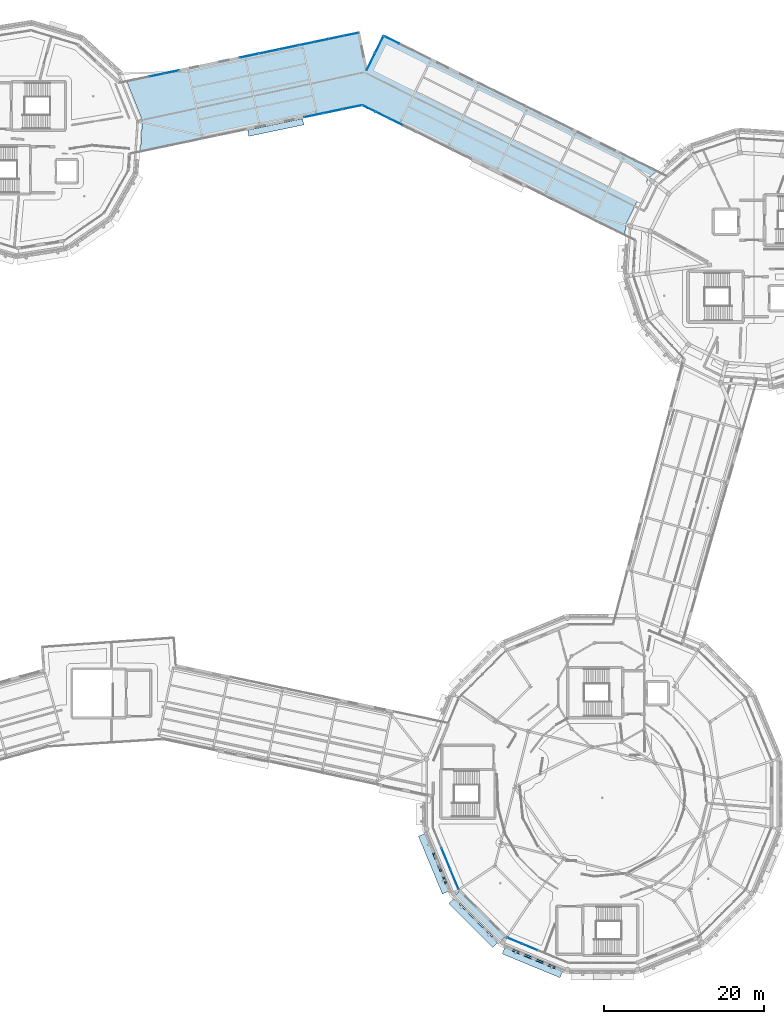
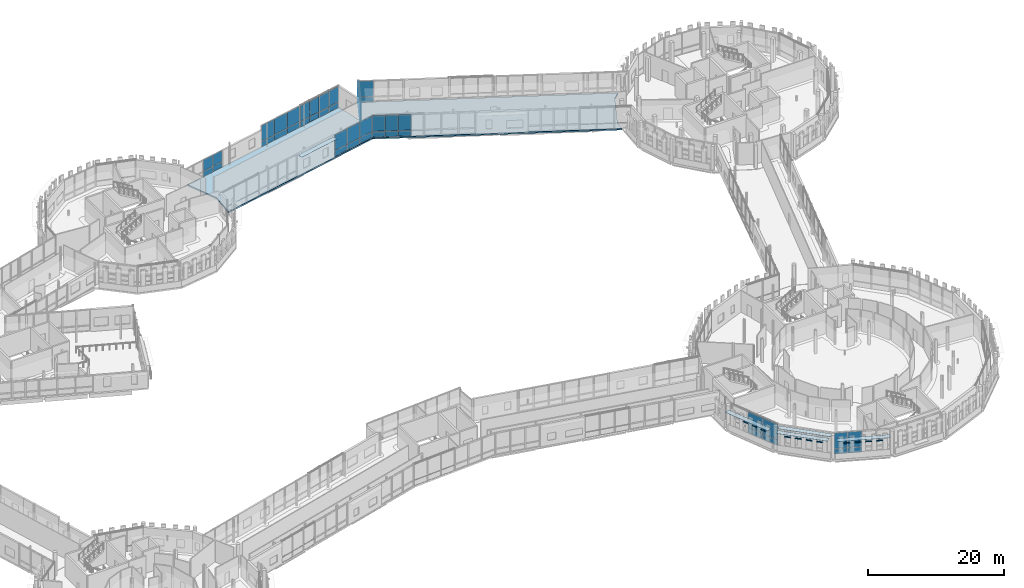
# One storey, part 78 of 125: 60 plates, 1 slab, 9 elements without a shape of their own.
"""IFC4 building model written with IfcOpenShell, lengths in metres."""

import ifcopenshell
import ifcopenshell.guid

model = None  # the IFC model being written
_history = None  # IfcOwnerHistory: only IFC2X3 demands one
_inside = {}  # id of a spatial element -> (the spatial element, [elements in it])
_under = {}  # id of a project, library or spatial element -> (it, [spatial elements below it])
_declared = {}  # id of a project -> (the project, [libraries it declares])
_typed = {}  # id of a type object -> (the type object, [elements of that type])
_made_of = {}  # id of a material, layer set ... -> (it, [elements and type objects made of it])


def new_model(schema):
    """Start an empty IFC model of exactly this schema.

    Asked for "IFC4X3", IfcOpenShell would pick the latest addendum, in which some entities
    have other attributes; the version numbers below select the first issue.
    IFC2X3 requires an IfcOwnerHistory on every rooted entity: one is made here for all.
    """
    global model, _history
    if schema == "IFC4X3":
        model = ifcopenshell.file(schema_version=(4, 3, 0, 0))
    else:
        model = ifcopenshell.file(schema=schema)
    _inside.clear()
    _under.clear()
    _declared.clear()
    _typed.clear()
    _made_of.clear()
    _history = None
    if model.schema == "IFC2X3":
        org = make("IfcOrganization", Name="unknown")
        user = make(
            "IfcPersonAndOrganization",
            ThePerson=make("IfcPerson", FamilyName="unknown"),
            TheOrganization=org,
        )
        app = make(
            "IfcApplication",
            ApplicationDeveloper=org,
            Version="unknown",
            ApplicationFullName="unknown",
            ApplicationIdentifier="unknown",
        )
        _history = make(
            "IfcOwnerHistory",
            OwningUser=user,
            OwningApplication=app,
            ChangeAction="ADDED",
            CreationDate=0,
        )
    return model


def make(cls, **values):
    """One entity of the class cls with the attributes given. An attribute that is None is left unset."""
    return model.create_entity(
        cls, **{name: value for name, value in values.items() if value is not None}
    )


def rooted(cls, **values):
    """An entity with a GlobalId (a new one), such as an element, a storey or a relation."""
    return make(cls, GlobalId=ifcopenshell.guid.new(), OwnerHistory=_history, **values)


def si_unit(unit_type, name, prefix=None):
    """IfcSIUnit, for example si_unit("LENGTHUNIT", "METRE", prefix="MILLI")."""
    return make("IfcSIUnit", UnitType=unit_type, Prefix=prefix, Name=name)


def assignment(units):
    """IfcUnitAssignment: the units of a project."""
    return None if units is None else make("IfcUnitAssignment", Units=units)


def point(xyz):
    """IfcCartesianPoint."""
    return None if xyz is None else make("IfcCartesianPoint", Coordinates=xyz)


def direction(xyz):
    """IfcDirection."""
    return None if xyz is None else make("IfcDirection", DirectionRatios=xyz)


def frame(location, z_axis=None, x_axis=None):
    """IfcAxis2Placement3D, a coordinate frame: its origin and axes. An axis left out is left unset."""
    return make(
        "IfcAxis2Placement3D",
        Location=point(location),
        Axis=direction(z_axis),
        RefDirection=direction(x_axis),
    )


def frame_2d(location, x_axis=None):
    """IfcAxis2Placement2D, a coordinate frame in the plane: its origin and x axis."""
    return make(
        "IfcAxis2Placement2D", Location=point(location), RefDirection=direction(x_axis)
    )


def origin():
    """The frame at (0, 0, 0) with its axes left unset."""
    return frame((0.0, 0.0, 0.0))


def origin_2d():
    """The frame at (0, 0) in the plane with its x axis left unset."""
    return frame_2d((0.0, 0.0))


def place(relative_to, where):
    """IfcLocalPlacement: puts the frame where relative to a parent placement (None: the world)."""
    return make(
        "IfcLocalPlacement", PlacementRelTo=relative_to, RelativePlacement=where
    )


def context(
    kind, dimensions, precision=None, world=None, true_north=None, identifier=None
):
    """IfcGeometricRepresentationContext, for example the 3D "Model" context."""
    return make(
        "IfcGeometricRepresentationContext",
        ContextIdentifier=identifier,
        ContextType=kind,
        CoordinateSpaceDimension=dimensions,
        Precision=precision,
        WorldCoordinateSystem=world,
        TrueNorth=true_north,
    )


def subcontext(parent, identifier, kind, view, scale=None):
    """IfcGeometricRepresentationSubContext, for example "Body" below "Model"."""
    return make(
        "IfcGeometricRepresentationSubContext",
        ContextIdentifier=identifier,
        ContextType=kind,
        ParentContext=parent,
        TargetScale=scale,
        TargetView=view,
    )


def project(units=None, contexts=None):
    """IfcProject with its units and contexts."""
    return rooted(
        "IfcProject",
        Name="project",
        RepresentationContexts=contexts,
        UnitsInContext=assignment(units),
    )


def spatial(cls, under=None, at=None, **own):
    """A site, building, storey or space (cls), placed at a placement, below another one or the project."""
    s = rooted(cls, ObjectPlacement=at, **own)
    if under is not None:
        _under.setdefault(under.id(), (under, []))[1].append(s)
    return s


def polyline(points):
    """IfcPolyline through the points."""
    return make("IfcPolyline", Points=[point(p) for p in points])


def profile(cls, at=None, kind="AREA", **sizes):
    """A parametric profile (cls). Its sizes go by their IFC names, for example OverallWidth=200.0."""
    return make(cls, ProfileType=kind, Position=at, **sizes)


def rectangle(**sizes):
    """IfcRectangleProfileDef."""
    return profile("IfcRectangleProfileDef", **sizes)


def outline(outer, holes=None, kind="AREA"):
    """IfcArbitraryClosedProfileDef: a profile drawn as a closed curve; with holes, ...WithVoids."""
    if holes is None:
        return make("IfcArbitraryClosedProfileDef", ProfileType=kind, OuterCurve=outer)
    return make(
        "IfcArbitraryProfileDefWithVoids",
        ProfileType=kind,
        OuterCurve=outer,
        InnerCurves=holes,
    )


def extrude(swept, where, along, depth):
    """IfcExtrudedAreaSolid: the profile swept, set in the frame where, extruded along a direction by depth."""
    return make(
        "IfcExtrudedAreaSolid",
        SweptArea=swept,
        Position=where,
        ExtrudedDirection=direction(along),
        Depth=depth,
    )


def shape(context_of_items, identifier, shape_type, items):
    """IfcShapeRepresentation: the items that make up one representation, for example the "Body"."""
    return make(
        "IfcShapeRepresentation",
        ContextOfItems=context_of_items,
        RepresentationIdentifier=identifier,
        RepresentationType=shape_type,
        Items=items,
    )


def material(Name=None, Category=None):
    """IfcMaterial."""
    return make("IfcMaterial", Name=Name, Category=Category)


def layer(
    of_material, thickness, ventilated=None, Name=None, Category=None, Priority=None
):
    """IfcMaterialLayer: one layer of a wall or slab, of a material (None: an air gap)."""
    return make(
        "IfcMaterialLayer",
        Material=of_material,
        LayerThickness=thickness,
        IsVentilated=ventilated,
        Name=Name,
        Category=Category,
        Priority=Priority,
    )


def layer_set(layers, Name=None):
    """IfcMaterialLayerSet."""
    return make("IfcMaterialLayerSet", MaterialLayers=layers, LayerSetName=Name)


def made_of(thing, what):
    """Note that an element or type object is made of a material, layer set ...; save() writes the relation."""
    if what is not None:
        _made_of.setdefault(what.id(), (what, []))[1].append(thing)
    return thing


def type_object(cls, material=None, **own):
    """A type object (cls), such as IfcWallType, which elements share."""
    return made_of(rooted(cls, **own), material)


def element(
    cls,
    number,
    at=None,
    inside=None,
    cuts=None,
    type_object=None,
    material=None,
    context=None,
    identifier="Body",
    shape_type=None,
    held_by="IfcProductDefinitionShape",
    body=None,
    shapes=None,
    **own,
):
    """One element of the class cls, such as IfcWall. Its Tag is "e" and its number.

    at: its placement. inside: the storey or other place that contains it. cuts: it is an
    opening in that element (IfcRelVoidsElement). A single representation is given by context,
    identifier, shape_type and body (its items); several are given by shapes. held_by: the class
    of the entity that holds the representations. save() writes the other relations.
    """
    e = rooted(cls, Tag="e%d" % number, ObjectPlacement=at, **own)
    if body is not None:
        shapes = [shape(context, identifier, shape_type, body)]
    if shapes is not None:
        e.Representation = make(held_by, Representations=shapes)
    if inside is not None:
        _inside.setdefault(inside.id(), (inside, []))[1].append(e)
    if cuts is not None:
        rooted(
            "IfcRelVoidsElement", RelatingBuildingElement=cuts, RelatedOpeningElement=e
        )
    if type_object is not None:
        _typed.setdefault(type_object.id(), (type_object, []))[1].append(e)
    return made_of(e, material)


def aggregate(whole, parts):
    """IfcRelAggregates: a whole, such as a stair, and the parts it consists of."""
    return rooted("IfcRelAggregates", RelatingObject=whole, RelatedObjects=parts)


def save(model, path):
    """Write the relations noted so far, then the file.

    IfcRelAggregates (storeys below a building ...), IfcRelContainedInSpatialStructure (elements
    in a storey), IfcRelDefinesByType, IfcRelAssociatesMaterial and IfcRelDeclares: one each for
    every whole, place, type object, material and project.
    """
    for whole, parts in _under.values():
        aggregate(whole, parts)
    for where, things in _inside.values():
        rooted(
            "IfcRelContainedInSpatialStructure",
            RelatedElements=things,
            RelatingStructure=where,
        )
    for kind, things in _typed.values():
        rooted("IfcRelDefinesByType", RelatedObjects=things, RelatingType=kind)
    for what, things in _made_of.values():
        rooted("IfcRelAssociatesMaterial", RelatedObjects=things, RelatingMaterial=what)
    for by, libraries in _declared.values():
        rooted("IfcRelDeclares", RelatingContext=by, RelatedDefinitions=libraries)
    model.write(path)


model = new_model("IFC4")

# Units and contexts
model_context = context("Model", 3, precision=1e-05, world=origin(), true_north=direction((0.0, 1.0)))
body_context = subcontext(model_context, "Body", "Model", "MODEL_VIEW")
ifc_project = project(units=[si_unit("LENGTHUNIT", "METRE"), si_unit("AREAUNIT", "SQUARE_METRE"), si_unit("VOLUMEUNIT", "CUBIC_METRE"), si_unit("PLANEANGLEUNIT", "RADIAN"), si_unit("MASSUNIT", "GRAM", prefix="KILO")], contexts=[model_context])

# Site, building, storey
site_placement = place(None, origin())
site = spatial("IfcSite", under=ifc_project, at=site_placement, CompositionType="ELEMENT")
building_placement = place(site_placement, origin())
building = spatial("IfcBuilding", under=site, at=building_placement, Name="Wrenclough Park School", CompositionType="ELEMENT")
storey_placement = place(building_placement, frame((0.0, 0.0, 4.199951171875)))
storey = spatial("IfcBuildingStorey", under=building, at=storey_placement, Name="L01", CompositionType="ELEMENT", Elevation=4.199951171875)

# Curtain wall, plates
ifc_material_1 = material(Name="Thermally broken aluminium and low-e glass curtain wall", Category="aluminium")
curtain_wall_type_1 = type_object("IfcCurtainWallType", Name="ENV-CW-13", PredefinedType="USERDEFINED", material=ifc_material_1)
curtain_wall_1_placement = place(storey_placement, origin())
curtain_wall_1 = element("IfcCurtainWall", 1, at=curtain_wall_1_placement, inside=storey, type_object=curtain_wall_type_1, Name="L01 recessed curtain wall assembly 108", ObjectType="CURTAIN WALL", PredefinedType="USERDEFINED")
ifc_material_2 = material(Name="Double-glazed solar-control low-e glass", Category="glass")
ifc_layer_1 = layer(ifc_material_2, 0.02587890625)
ifc_layer_set_1 = layer_set([ifc_layer_1], Name="Double-glazed solar-control low-e glass")
plate_type_1 = type_object("IfcPlateType", Name="ENV-CWP-GL26", PredefinedType="CURTAIN_PANEL", material=ifc_layer_set_1)
plate_1_placement = place(storey_placement, frame((118.428955078125, 120.492431640625, 0.06005859375), z_axis=(0.0, 0.0, 1.0), x_axis=(0.978788978052, 0.204871023923, 0.0)))
plate_1 = element("IfcPlate", 2, at=plate_1_placement, type_object=plate_type_1, Name="CW-13 panel 1.1", PredefinedType="CURTAIN_PANEL", context=body_context, shape_type="SweptSolid", body=[
    extrude(rectangle(XDim=1.821044921875, YDim=0.02587890625, at=origin_2d()), origin(), (0.0, 0.0, 1.0), 0.9599609375),
])
plate_2_placement = place(storey_placement, frame((118.428955078125, 120.492431640625, 1.080078125), z_axis=(0.0, 0.0, 1.0), x_axis=(0.978788978052, 0.204871023923, 0.0)))
plate_2 = element("IfcPlate", 3, at=plate_2_placement, type_object=plate_type_1, Name="CW-13 panel 1.2", PredefinedType="CURTAIN_PANEL", context=body_context, shape_type="SweptSolid", body=[
    extrude(rectangle(XDim=1.821044921875, YDim=0.02587890625, at=origin_2d()), origin(), (0.0, 0.0, 1.0), 2.800048828125),
])
plate_3_placement = place(storey_placement, frame((120.28466796875, 120.880859375, 0.06005859375), z_axis=(0.0, 0.0, 1.0), x_axis=(0.978788978052, 0.204871023923, 0.0)))
plate_3 = element("IfcPlate", 4, at=plate_3_placement, type_object=plate_type_1, Name="CW-13 panel 2.1", PredefinedType="CURTAIN_PANEL", context=body_context, shape_type="SweptSolid", body=[
    extrude(rectangle(XDim=1.85107421875, YDim=0.02587890625, at=origin_2d()), origin(), (0.0, 0.0, 1.0), 0.9599609375),
])
plate_4_placement = place(storey_placement, frame((120.28466796875, 120.880859375, 1.080078125), z_axis=(0.0, 0.0, 1.0), x_axis=(0.978788978052, 0.204871023923, 0.0)))
plate_4 = element("IfcPlate", 5, at=plate_4_placement, type_object=plate_type_1, Name="CW-13 panel 2.2", PredefinedType="CURTAIN_PANEL", context=body_context, shape_type="SweptSolid", body=[
    extrude(rectangle(XDim=1.85107421875, YDim=0.02587890625, at=origin_2d()), origin(), (0.0, 0.0, 1.0), 2.800048828125),
])
plate_5_placement = place(storey_placement, frame((122.1552734375, 121.272216796875, 0.06005859375), z_axis=(0.0, 0.0, 1.0), x_axis=(0.978788978052, 0.204871023923, 0.0)))
plate_5 = element("IfcPlate", 6, at=plate_5_placement, type_object=plate_type_1, Name="CW-13 panel 3.1", PredefinedType="CURTAIN_PANEL", context=body_context, shape_type="SweptSolid", body=[
    extrude(rectangle(XDim=1.85107421875, YDim=0.02587890625, at=origin_2d()), origin(), (0.0, 0.0, 1.0), 0.9599609375),
])
plate_6_placement = place(storey_placement, frame((122.1552734375, 121.272216796875, 1.080078125), z_axis=(0.0, 0.0, 1.0), x_axis=(0.978788978052, 0.204871023923, 0.0)))
plate_6 = element("IfcPlate", 7, at=plate_6_placement, type_object=plate_type_1, Name="CW-13 panel 3.2", PredefinedType="CURTAIN_PANEL", context=body_context, shape_type="SweptSolid", body=[
    extrude(rectangle(XDim=1.85107421875, YDim=0.02587890625, at=origin_2d()), origin(), (0.0, 0.0, 1.0), 2.800048828125),
])
plate_7_placement = place(storey_placement, frame((124.010986328125, 121.66064453125, 0.06005859375), z_axis=(0.0, 0.0, 1.0), x_axis=(0.978788978052, 0.204871023923, 0.0)))
plate_7 = element("IfcPlate", 8, at=plate_7_placement, type_object=plate_type_1, Name="CW-13 panel 4.1", PredefinedType="CURTAIN_PANEL", context=body_context, shape_type="SweptSolid", body=[
    extrude(rectangle(XDim=1.821044921875, YDim=0.02587890625, at=origin_2d()), origin(), (0.0, 0.0, 1.0), 0.9599609375),
])
plate_8_placement = place(storey_placement, frame((124.010986328125, 121.66064453125, 1.080078125), z_axis=(0.0, 0.0, 1.0), x_axis=(0.978788978052, 0.204871023923, 0.0)))
plate_8 = element("IfcPlate", 9, at=plate_8_placement, type_object=plate_type_1, Name="CW-13 panel 4.2", PredefinedType="CURTAIN_PANEL", context=body_context, shape_type="SweptSolid", body=[
    extrude(rectangle(XDim=1.821044921875, YDim=0.02587890625, at=origin_2d()), origin(), (0.0, 0.0, 1.0), 2.800048828125),
])
aggregate(curtain_wall_1, [plate_1, plate_2, plate_3, plate_4, plate_5, plate_6, plate_7, plate_8])

curtain_wall_type_2 = type_object("IfcCurtainWallType", Name="ENV-CW-01", PredefinedType="USERDEFINED", material=ifc_material_1)
curtain_wall_2_placement = place(storey_placement, origin())
curtain_wall_2 = element("IfcCurtainWall", 10, at=curtain_wall_2_placement, inside=storey, type_object=curtain_wall_type_2, Name="L01 recessed curtain wall assembly 128", ObjectType="CURTAIN WALL", PredefinedType="USERDEFINED")
plate_9_placement = place(storey_placement, frame((146.408935546875, 7.305908203125, 0.06982421875), z_axis=(0.0, 0.0, 1.0), x_axis=(-0.923878191205, 0.382686670549, 0.0)))
plate_9 = element("IfcPlate", 11, at=plate_9_placement, type_object=plate_type_1, Name="CW-01 panel 3.1", PredefinedType="CURTAIN_PANEL", context=body_context, shape_type="SweptSolid", body=[
    extrude(rectangle(XDim=2.03759765625, YDim=0.02587890625, at=origin_2d()), origin(), (0.0, 0.0, 1.0), 0.945068359375),
])
plate_10_placement = place(storey_placement, frame((146.408935546875, 7.305908203125, 1.0849609375), z_axis=(0.0, 0.0, 1.0), x_axis=(-0.923878191205, 0.382686670549, 0.0)))
plate_10 = element("IfcPlate", 12, at=plate_10_placement, type_object=plate_type_1, Name="CW-01 panel 3.2", PredefinedType="CURTAIN_PANEL", context=body_context, shape_type="SweptSolid", body=[
    extrude(rectangle(XDim=2.03759765625, YDim=0.02587890625, at=origin_2d()), origin(), (0.0, 0.0, 1.0), 2.784912109375),
])
plate_11_placement = place(storey_placement, frame((144.477783203125, 8.105712890625, 0.06982421875), z_axis=(0.0, 0.0, 1.0), x_axis=(-0.923878191205, 0.382686670549, 0.0)))
plate_11 = element("IfcPlate", 13, at=plate_11_placement, type_object=plate_type_1, Name="CW-01 panel 4.1", PredefinedType="CURTAIN_PANEL", context=body_context, shape_type="SweptSolid", body=[
    extrude(rectangle(XDim=2.002685546875, YDim=0.02587890625, at=origin_2d()), origin(), (0.0, 0.0, 1.0), 0.945068359375),
])
plate_12_placement = place(storey_placement, frame((144.477783203125, 8.105712890625, 1.0849609375), z_axis=(0.0, 0.0, 1.0), x_axis=(-0.923878191205, 0.382686670549, 0.0)))
plate_12 = element("IfcPlate", 14, at=plate_12_placement, type_object=plate_type_1, Name="CW-01 panel 4.2", PredefinedType="CURTAIN_PANEL", context=body_context, shape_type="SweptSolid", body=[
    extrude(rectangle(XDim=2.002685546875, YDim=0.02587890625, at=origin_2d()), origin(), (0.0, 0.0, 1.0), 2.784912109375),
])
aggregate(curtain_wall_2, [plate_9, plate_10, plate_11, plate_12])

curtain_wall_type_3 = type_object("IfcCurtainWallType", Name="ENV-CW-02", PredefinedType="USERDEFINED", material=ifc_material_1)
curtain_wall_3_placement = place(storey_placement, origin())
curtain_wall_3 = element("IfcCurtainWall", 15, at=curtain_wall_3_placement, inside=storey, type_object=curtain_wall_type_3, Name="L01 recessed curtain wall assembly 129", ObjectType="CURTAIN WALL", PredefinedType="USERDEFINED")
ifc_material_3 = material(Name="Double-glazed acoustic low-e glass", Category="glass")
ifc_layer_2 = layer(ifc_material_3, 0.030029296875)
ifc_layer_set_2 = layer_set([ifc_layer_2], Name="Double-glazed acoustic low-e glass")
plate_type_2 = type_object("IfcPlateType", Name="ENV-CWP-GL30", PredefinedType="CURTAIN_PANEL", material=ifc_layer_set_2)
plate_13_placement = place(storey_placement, frame((136.97216796875, 15.800048828125, 0.06005859375), z_axis=(0.0, 0.0, 1.0), x_axis=(-0.382686670549, 0.923878191205, 0.0)))
plate_13 = element("IfcPlate", 16, at=plate_13_placement, type_object=plate_type_2, Name="CW-02 panel 1.1", PredefinedType="CURTAIN_PANEL", context=body_context, shape_type="SweptSolid", body=[
    extrude(rectangle(XDim=2.72021484375, YDim=0.030029296875, at=origin_2d()), origin(), (0.0, 0.0, 1.0), 0.9599609375),
])
plate_14_placement = place(storey_placement, frame((136.97216796875, 15.800048828125, 1.080078125), z_axis=(0.0, 0.0, 1.0), x_axis=(-0.382686670549, 0.923878191205, 0.0)))
plate_14 = element("IfcPlate", 17, at=plate_14_placement, type_object=plate_type_2, Name="CW-02 panel 1.2", PredefinedType="CURTAIN_PANEL", context=body_context, shape_type="SweptSolid", body=[
    extrude(rectangle(XDim=2.72021484375, YDim=0.030029296875, at=origin_2d()), origin(), (0.0, 0.0, 1.0), 2.800048828125),
])
plate_15_placement = place(storey_placement, frame((135.902587890625, 18.382568359375, 0.06005859375), z_axis=(0.0, 0.0, 1.0), x_axis=(-0.382686670549, 0.923878191205, 0.0)))
plate_15 = element("IfcPlate", 18, at=plate_15_placement, type_object=plate_type_2, Name="CW-02 panel 2.1", PredefinedType="CURTAIN_PANEL", context=body_context, shape_type="SweptSolid", body=[
    extrude(rectangle(XDim=2.750244140625, YDim=0.030029296875, at=origin_2d()), origin(), (0.0, 0.0, 1.0), 0.9599609375),
])
plate_16_placement = place(storey_placement, frame((135.902587890625, 18.382568359375, 1.080078125), z_axis=(0.0, 0.0, 1.0), x_axis=(-0.382686670549, 0.923878191205, 0.0)))
plate_16 = element("IfcPlate", 19, at=plate_16_placement, type_object=plate_type_2, Name="CW-02 panel 2.2", PredefinedType="CURTAIN_PANEL", context=body_context, shape_type="SweptSolid", body=[
    extrude(rectangle(XDim=2.750244140625, YDim=0.030029296875, at=origin_2d()), origin(), (0.0, 0.0, 1.0), 2.800048828125),
])
aggregate(curtain_wall_3, [plate_13, plate_14, plate_15, plate_16])

curtain_wall_type_4 = type_object("IfcCurtainWallType", Name="ENV-CW-11", PredefinedType="USERDEFINED", material=ifc_material_1)
curtain_wall_4_placement = place(storey_placement, origin())
curtain_wall_4 = element("IfcCurtainWall", 20, at=curtain_wall_4_placement, inside=storey, type_object=curtain_wall_type_4, Name="L01 recessed curtain wall assembly 106", ObjectType="CURTAIN WALL", PredefinedType="USERDEFINED")
ifc_material_4 = material(Name="Triple-glazed senior-lab low-e glass", Category="glass")
ifc_layer_3 = layer(ifc_material_4, 0.033935546875)
ifc_layer_set_3 = layer_set([ifc_layer_3], Name="Triple-glazed senior-lab low-e glass")
plate_type_3 = type_object("IfcPlateType", Name="ENV-CWP-GL34", PredefinedType="CURTAIN_PANEL", material=ifc_layer_set_3)
plate_17_placement = place(storey_placement, frame((99.686767578125, 116.569580078125, 0.06494140625), z_axis=(0.0, 0.0, 1.0), x_axis=(0.978788978052, 0.204871023923, 0.0)))
plate_17 = element("IfcPlate", 21, at=plate_17_placement, type_object=plate_type_3, Name="CW-11 panel 3.1", PredefinedType="CURTAIN_PANEL", context=body_context, shape_type="SweptSolid", body=[
    extrude(rectangle(XDim=1.845947265625, YDim=0.033935546875, at=origin_2d()), origin(), (0.0, 0.0, 1.0), 0.952392578125),
])
plate_18_placement = place(storey_placement, frame((99.686767578125, 116.569580078125, 1.08251953125), z_axis=(0.0, 0.0, 1.0), x_axis=(0.978788978052, 0.204871023923, 0.0)))
plate_18 = element("IfcPlate", 22, at=plate_18_placement, type_object=plate_type_3, Name="CW-11 panel 3.2", PredefinedType="CURTAIN_PANEL", context=body_context, shape_type="SweptSolid", body=[
    extrude(rectangle(XDim=1.845947265625, YDim=0.033935546875, at=origin_2d()), origin(), (0.0, 0.0, 1.0), 1.984619140625),
])
plate_19_placement = place(storey_placement, frame((101.541259765625, 116.957763671875, 0.06494140625), z_axis=(0.0, 0.0, 1.0), x_axis=(0.978788978052, 0.204871023923, 0.0)))
plate_19 = element("IfcPlate", 23, at=plate_19_placement, type_object=plate_type_3, Name="CW-11 panel 4.1", PredefinedType="CURTAIN_PANEL", context=body_context, shape_type="SweptSolid", body=[
    extrude(rectangle(XDim=1.8134765625, YDim=0.033935546875, at=origin_2d()), origin(), (0.0, 0.0, 1.0), 0.952392578125),
])
plate_20_placement = place(storey_placement, frame((101.541259765625, 116.957763671875, 1.08251953125), z_axis=(0.0, 0.0, 1.0), x_axis=(0.978788978052, 0.204871023923, 0.0)))
plate_20 = element("IfcPlate", 24, at=plate_20_placement, type_object=plate_type_3, Name="CW-11 panel 4.2", PredefinedType="CURTAIN_PANEL", context=body_context, shape_type="SweptSolid", body=[
    extrude(rectangle(XDim=1.8134765625, YDim=0.033935546875, at=origin_2d()), origin(), (0.0, 0.0, 1.0), 1.984619140625),
])
aggregate(curtain_wall_4, [plate_17, plate_18, plate_19, plate_20])

curtain_wall_type_5 = type_object("IfcCurtainWallType", Name="ENV-CW-03", PredefinedType="USERDEFINED", material=ifc_material_1)
curtain_wall_5_placement = place(storey_placement, origin())
curtain_wall_5 = element("IfcCurtainWall", 25, at=curtain_wall_5_placement, inside=storey, type_object=curtain_wall_type_5, Name="L01 recessed curtain wall assembly 162", ObjectType="CURTAIN WALL", PredefinedType="USERDEFINED")
plate_21_placement = place(storey_placement, frame((129.68017578125, 110.680419921875, 0.06005859375), z_axis=(0.0, 0.0, 1.0), x_axis=(-0.896267099488, 0.443514696909, 0.0)))
plate_21 = element("IfcPlate", 26, at=plate_21_placement, type_object=plate_type_3, Name="CW-03 panel 2.1", PredefinedType="CURTAIN_PANEL", context=body_context, shape_type="SweptSolid", body=[
    extrude(rectangle(XDim=1.847900390625, YDim=0.033935546875, at=origin_2d()), origin(), (0.0, 0.0, 1.0), 0.9599609375),
])
plate_22_placement = place(storey_placement, frame((129.68017578125, 110.680419921875, 1.080078125), z_axis=(0.0, 0.0, 1.0), x_axis=(-0.896267099488, 0.443514696909, 0.0)))
plate_22 = element("IfcPlate", 27, at=plate_22_placement, type_object=plate_type_3, Name="CW-03 panel 2.2", PredefinedType="CURTAIN_PANEL", context=body_context, shape_type="SweptSolid", body=[
    extrude(rectangle(XDim=1.847900390625, YDim=0.033935546875, at=origin_2d()), origin(), (0.0, 0.0, 1.0), 2.800048828125),
])
plate_23_placement = place(storey_placement, frame((127.97021484375, 111.526611328125, 0.06005859375), z_axis=(0.0, 0.0, 1.0), x_axis=(-0.896267099488, 0.443514696909, 0.0)))
plate_23 = element("IfcPlate", 28, at=plate_23_placement, type_object=plate_type_3, Name="CW-03 panel 3.1", PredefinedType="CURTAIN_PANEL", context=body_context, shape_type="SweptSolid", body=[
    extrude(rectangle(XDim=1.847900390625, YDim=0.033935546875, at=origin_2d()), origin(), (0.0, 0.0, 1.0), 0.9599609375),
])
plate_24_placement = place(storey_placement, frame((127.97021484375, 111.526611328125, 1.080078125), z_axis=(0.0, 0.0, 1.0), x_axis=(-0.896267099488, 0.443514696909, 0.0)))
plate_24 = element("IfcPlate", 29, at=plate_24_placement, type_object=plate_type_3, Name="CW-03 panel 3.2", PredefinedType="CURTAIN_PANEL", context=body_context, shape_type="SweptSolid", body=[
    extrude(rectangle(XDim=1.847900390625, YDim=0.033935546875, at=origin_2d()), origin(), (0.0, 0.0, 1.0), 2.800048828125),
])
plate_25_placement = place(storey_placement, frame((126.2734375, 112.3662109375, 0.06005859375), z_axis=(0.0, 0.0, 1.0), x_axis=(-0.896267099488, 0.443514696909, 0.0)))
plate_25 = element("IfcPlate", 30, at=plate_25_placement, type_object=plate_type_3, Name="CW-03 panel 4.1", PredefinedType="CURTAIN_PANEL", context=body_context, shape_type="SweptSolid", body=[
    extrude(rectangle(XDim=1.81787109375, YDim=0.033935546875, at=origin_2d()), origin(), (0.0, 0.0, 1.0), 0.9599609375),
])
plate_26_placement = place(storey_placement, frame((126.2734375, 112.3662109375, 1.080078125), z_axis=(0.0, 0.0, 1.0), x_axis=(-0.896267099488, 0.443514696909, 0.0)))
plate_26 = element("IfcPlate", 31, at=plate_26_placement, type_object=plate_type_3, Name="CW-03 panel 4.2", PredefinedType="CURTAIN_PANEL", context=body_context, shape_type="SweptSolid", body=[
    extrude(rectangle(XDim=1.81787109375, YDim=0.033935546875, at=origin_2d()), origin(), (0.0, 0.0, 1.0), 2.800048828125),
])
aggregate(curtain_wall_5, [plate_21, plate_22, plate_23, plate_24, plate_25, plate_26])

curtain_wall_type_6 = type_object("IfcCurtainWallType", Name="ENV-CW-12", PredefinedType="USERDEFINED", material=ifc_material_1)
curtain_wall_6_placement = place(storey_placement, origin())
curtain_wall_6 = element("IfcCurtainWall", 32, at=curtain_wall_6_placement, inside=storey, type_object=curtain_wall_type_6, Name="L01 recessed curtain wall assembly 107", ObjectType="CURTAIN WALL", PredefinedType="USERDEFINED")
ifc_material_5 = material(Name="Laminated sports-concourse safety glass", Category="glass")
ifc_layer_4 = layer(ifc_material_5, 0.0380859375)
ifc_layer_set_4 = layer_set([ifc_layer_4], Name="Laminated sports-concourse safety glass")
plate_type_4 = type_object("IfcPlateType", Name="ENV-CWP-GL38", PredefinedType="CURTAIN_PANEL", material=ifc_layer_set_4)
plate_27_placement = place(storey_placement, frame((111.253662109375, 118.990478515625, 0.06982421875), z_axis=(0.0, 0.0, 1.0), x_axis=(0.978791601344, 0.204858490521, 0.0)))
plate_27 = element("IfcPlate", 33, at=plate_27_placement, type_object=plate_type_4, Name="CW-12 panel 1.1", PredefinedType="CURTAIN_PANEL", context=body_context, shape_type="SweptSolid", body=[
    extrude(rectangle(XDim=2.44287109375, YDim=0.0380859375, at=origin_2d()), origin(), (0.0, 0.0, 1.0), 0.945068359375),
])
plate_28_placement = place(storey_placement, frame((111.253662109375, 118.990478515625, 1.0849609375), z_axis=(0.0, 0.0, 1.0), x_axis=(0.978791601344, 0.204858490521, 0.0)))
plate_28 = element("IfcPlate", 34, at=plate_28_placement, type_object=plate_type_4, Name="CW-12 panel 1.2", PredefinedType="CURTAIN_PANEL", context=body_context, shape_type="SweptSolid", body=[
    extrude(rectangle(XDim=2.44287109375, YDim=0.0380859375, at=origin_2d()), origin(), (0.0, 0.0, 1.0), 2.784912109375),
])
plate_29_placement = place(storey_placement, frame((113.73046875, 119.509033203125, 0.06982421875), z_axis=(0.0, 0.0, 1.0), x_axis=(0.978791601344, 0.204858490521, 0.0)))
plate_29 = element("IfcPlate", 35, at=plate_29_placement, type_object=plate_type_4, Name="CW-12 panel 2.1", PredefinedType="CURTAIN_PANEL", context=body_context, shape_type="SweptSolid", body=[
    extrude(rectangle(XDim=2.47802734375, YDim=0.0380859375, at=origin_2d()), origin(), (0.0, 0.0, 1.0), 0.945068359375),
])
plate_30_placement = place(storey_placement, frame((113.73046875, 119.509033203125, 1.0849609375), z_axis=(0.0, 0.0, 1.0), x_axis=(0.978791601344, 0.204858490521, 0.0)))
plate_30 = element("IfcPlate", 36, at=plate_30_placement, type_object=plate_type_4, Name="CW-12 panel 2.2", PredefinedType="CURTAIN_PANEL", context=body_context, shape_type="SweptSolid", body=[
    extrude(rectangle(XDim=2.47802734375, YDim=0.0380859375, at=origin_2d()), origin(), (0.0, 0.0, 1.0), 2.784912109375),
])
plate_31_placement = place(storey_placement, frame((116.207275390625, 120.02734375, 0.06982421875), z_axis=(0.0, 0.0, 1.0), x_axis=(0.978791601344, 0.204858490521, 0.0)))
plate_31 = element("IfcPlate", 37, at=plate_31_placement, type_object=plate_type_4, Name="CW-12 panel 3.1", PredefinedType="CURTAIN_PANEL", context=body_context, shape_type="SweptSolid", body=[
    extrude(rectangle(XDim=2.44287109375, YDim=0.0380859375, at=origin_2d()), origin(), (0.0, 0.0, 1.0), 0.945068359375),
])
plate_32_placement = place(storey_placement, frame((116.207275390625, 120.02734375, 1.0849609375), z_axis=(0.0, 0.0, 1.0), x_axis=(0.978791601344, 0.204858490521, 0.0)))
plate_32 = element("IfcPlate", 38, at=plate_32_placement, type_object=plate_type_4, Name="CW-12 panel 3.2", PredefinedType="CURTAIN_PANEL", context=body_context, shape_type="SweptSolid", body=[
    extrude(rectangle(XDim=2.44287109375, YDim=0.0380859375, at=origin_2d()), origin(), (0.0, 0.0, 1.0), 2.784912109375),
])
aggregate(curtain_wall_6, [plate_27, plate_28, plate_29, plate_30, plate_31, plate_32])

curtain_wall_type_7 = type_object("IfcCurtainWallType", Name="ENV-CW-04", PredefinedType="USERDEFINED", material=ifc_material_1)
curtain_wall_7_placement = place(storey_placement, origin())
curtain_wall_7 = element("IfcCurtainWall", 39, at=curtain_wall_7_placement, inside=storey, type_object=curtain_wall_type_7, Name="L01 recessed curtain wall assembly 163", ObjectType="CURTAIN WALL", PredefinedType="USERDEFINED")
plate_33_placement = place(storey_placement, frame((124.16796875, 112.53955078125, 0.06494140625), z_axis=(0.0, 0.0, 1.0), x_axis=(-0.978788431396, -0.204873635602, 0.0)))
plate_33 = element("IfcPlate", 40, at=plate_33_placement, type_object=plate_type_4, Name="CW-04 panel 1.1", PredefinedType="CURTAIN_PANEL", context=body_context, shape_type="SweptSolid", body=[
    extrude(rectangle(XDim=2.38232421875, YDim=0.0380859375, at=origin_2d()), origin(), (0.0, 0.0, 1.0), 0.952392578125),
])
plate_34_placement = place(storey_placement, frame((124.16796875, 112.53955078125, 1.08251953125), z_axis=(0.0, 0.0, 1.0), x_axis=(-0.978788431396, -0.204873635602, 0.0)))
plate_34 = element("IfcPlate", 41, at=plate_34_placement, type_object=plate_type_4, Name="CW-04 panel 1.2", PredefinedType="CURTAIN_PANEL", context=body_context, shape_type="SweptSolid", body=[
    extrude(rectangle(XDim=2.38232421875, YDim=0.0380859375, at=origin_2d()), origin(), (0.0, 0.0, 1.0), 2.79248046875),
])
plate_35_placement = place(storey_placement, frame((121.756591796875, 112.034912109375, 0.06494140625), z_axis=(0.0, 0.0, 1.0), x_axis=(-0.978788431396, -0.204873635602, 0.0)))
plate_35 = element("IfcPlate", 42, at=plate_35_placement, type_object=plate_type_4, Name="CW-04 panel 2.1", PredefinedType="CURTAIN_PANEL", context=body_context, shape_type="SweptSolid", body=[
    extrude(rectangle(XDim=2.414794921875, YDim=0.0380859375, at=origin_2d()), origin(), (0.0, 0.0, 1.0), 0.952392578125),
])
plate_36_placement = place(storey_placement, frame((121.756591796875, 112.034912109375, 1.08251953125), z_axis=(0.0, 0.0, 1.0), x_axis=(-0.978788431396, -0.204873635602, 0.0)))
plate_36 = element("IfcPlate", 43, at=plate_36_placement, type_object=plate_type_4, Name="CW-04 panel 2.2", PredefinedType="CURTAIN_PANEL", context=body_context, shape_type="SweptSolid", body=[
    extrude(rectangle(XDim=2.414794921875, YDim=0.0380859375, at=origin_2d()), origin(), (0.0, 0.0, 1.0), 2.79248046875),
])
plate_37_placement = place(storey_placement, frame((119.34521484375, 111.530029296875, 0.06494140625), z_axis=(0.0, 0.0, 1.0), x_axis=(-0.978788431396, -0.204873635602, 0.0)))
plate_37 = element("IfcPlate", 44, at=plate_37_placement, type_object=plate_type_4, Name="CW-04 panel 3.1", PredefinedType="CURTAIN_PANEL", context=body_context, shape_type="SweptSolid", body=[
    extrude(rectangle(XDim=2.38232421875, YDim=0.0380859375, at=origin_2d()), origin(), (0.0, 0.0, 1.0), 0.952392578125),
])
plate_38_placement = place(storey_placement, frame((119.34521484375, 111.530029296875, 1.08251953125), z_axis=(0.0, 0.0, 1.0), x_axis=(-0.978788431396, -0.204873635602, 0.0)))
plate_38 = element("IfcPlate", 45, at=plate_38_placement, type_object=plate_type_4, Name="CW-04 panel 3.2", PredefinedType="CURTAIN_PANEL", context=body_context, shape_type="SweptSolid", body=[
    extrude(rectangle(XDim=2.38232421875, YDim=0.0380859375, at=origin_2d()), origin(), (0.0, 0.0, 1.0), 2.79248046875),
])
aggregate(curtain_wall_7, [plate_33, plate_34, plate_35, plate_36, plate_37, plate_38])

curtain_wall_type_8 = type_object("IfcCurtainWallType", Name="ENV-CW-14", PredefinedType="USERDEFINED", material=ifc_material_1)
curtain_wall_8_placement = place(storey_placement, origin())
curtain_wall_8 = element("IfcCurtainWall", 46, at=curtain_wall_8_placement, inside=storey, type_object=curtain_wall_type_8, Name="L01 recessed curtain wall assembly 109", ObjectType="CURTAIN WALL", PredefinedType="USERDEFINED")
ifc_material_6 = material(Name="Insulated anodised aluminium spandrel panel", Category="aluminium")
ifc_layer_5 = layer(ifc_material_6, 0.0419921875)
ifc_layer_set_5 = layer_set([ifc_layer_5], Name="Insulated anodised aluminium spandrel panel")
plate_type_5 = type_object("IfcPlateType", Name="ENV-CWP-SP42", PredefinedType="CURTAIN_PANEL", material=ifc_layer_set_5)
plate_39_placement = place(storey_placement, frame((126.496826171875, 118.233642578125, 0.06494140625), z_axis=(0.0, 0.0, 1.0), x_axis=(0.4435078142, 0.896270505341, 0.0)))
plate_39 = element("IfcPlate", 47, at=plate_39_placement, type_object=plate_type_5, Name="CW-14 panel 1.1", PredefinedType="CURTAIN_PANEL", context=body_context, shape_type="SweptSolid", body=[
    extrude(rectangle(XDim=2.31201171875, YDim=0.0419921875, at=origin_2d()), origin(), (0.0, 0.0, 1.0), 0.952392578125),
])
plate_40_placement = place(storey_placement, frame((126.496826171875, 118.233642578125, 1.08251953125), z_axis=(0.0, 0.0, 1.0), x_axis=(0.4435078142, 0.896270505341, 0.0)))
plate_40 = element("IfcPlate", 48, at=plate_40_placement, type_object=plate_type_5, Name="CW-14 panel 1.2", PredefinedType="CURTAIN_PANEL", context=body_context, shape_type="SweptSolid", body=[
    extrude(rectangle(XDim=2.31201171875, YDim=0.0419921875, at=origin_2d()), origin(), (0.0, 0.0, 1.0), 2.79248046875),
])
plate_41_placement = place(storey_placement, frame((127.55126953125, 120.364013671875, 0.06494140625), z_axis=(0.0, 0.0, 1.0), x_axis=(0.4435078142, 0.896270505341, 0.0)))
plate_41 = element("IfcPlate", 49, at=plate_41_placement, type_object=plate_type_5, Name="CW-14 panel 2.1", PredefinedType="CURTAIN_PANEL", context=body_context, shape_type="SweptSolid", body=[
    extrude(rectangle(XDim=2.31201171875, YDim=0.0419921875, at=origin_2d()), origin(), (0.0, 0.0, 1.0), 0.952392578125),
])
plate_42_placement = place(storey_placement, frame((127.55126953125, 120.364013671875, 1.08251953125), z_axis=(0.0, 0.0, 1.0), x_axis=(0.4435078142, 0.896270505341, 0.0)))
plate_42 = element("IfcPlate", 50, at=plate_42_placement, type_object=plate_type_5, Name="CW-14 panel 2.2", PredefinedType="CURTAIN_PANEL", context=body_context, shape_type="SweptSolid", body=[
    extrude(rectangle(XDim=2.31201171875, YDim=0.0419921875, at=origin_2d()), origin(), (0.0, 0.0, 1.0), 2.79248046875),
])
aggregate(curtain_wall_8, [plate_39, plate_40, plate_41, plate_42])

curtain_wall_type_9 = type_object("IfcCurtainWallType", Name="ENV-CW-15", PredefinedType="USERDEFINED", material=ifc_material_1)
curtain_wall_9_placement = place(storey_placement, origin())
curtain_wall_9 = element("IfcCurtainWall", 51, at=curtain_wall_9_placement, inside=storey, type_object=curtain_wall_type_9, Name="L01 recessed curtain wall assembly 110", ObjectType="CURTAIN WALL", PredefinedType="USERDEFINED")
ifc_material_7 = material(Name="Insulated patinated copper-toned spandrel panel", Category="aluminium")
ifc_layer_6 = layer(ifc_material_7, 0.048095703125)
ifc_layer_set_6 = layer_set([ifc_layer_6], Name="Insulated patinated copper-toned spandrel panel")
plate_type_6 = type_object("IfcPlateType", Name="ENV-CWP-SP48", PredefinedType="CURTAIN_PANEL", material=ifc_layer_set_6)
plate_43_placement = place(storey_placement, frame((129.099365234375, 120.96484375, 0.06982421875), z_axis=(0.0, 0.0, 1.0), x_axis=(0.896268771377, -0.443511318294, 0.0)))
plate_43 = element("IfcPlate", 52, at=plate_43_placement, type_object=plate_type_6, Name="CW-15 panel 1.1", PredefinedType="CURTAIN_PANEL", context=body_context, shape_type="SweptSolid", body=[
    extrude(rectangle(XDim=2.09423828125, YDim=0.048095703125, at=origin_2d()), origin(), (0.0, 0.0, 1.0), 0.945068359375),
])
plate_44_placement = place(storey_placement, frame((129.099365234375, 120.96484375, 1.0849609375), z_axis=(0.0, 0.0, 1.0), x_axis=(0.896268771377, -0.443511318294, 0.0)))
plate_44 = element("IfcPlate", 53, at=plate_44_placement, type_object=plate_type_6, Name="CW-15 panel 1.2", PredefinedType="CURTAIN_PANEL", context=body_context, shape_type="SweptSolid", body=[
    extrude(rectangle(XDim=2.09423828125, YDim=0.048095703125, at=origin_2d()), origin(), (0.0, 0.0, 1.0), 2.784912109375),
])
aggregate(curtain_wall_9, [plate_43, plate_44])

# Plates
ifc_material_8 = material(Name="Anodised architectural aluminium solar shading fin plate", Category="aluminium")
ifc_layer_7 = layer(ifc_material_8, 0.0380859375)
ifc_layer_set_7 = layer_set([ifc_layer_7], Name="Anodised architectural aluminium solar shading fin plate")
plate_type_7 = type_object("IfcPlateType", Name="ENV-PL-BSF", PredefinedType="SHEET", material=ifc_layer_set_7)
for number, where, z_axis, x_axis, name in (
    (54, (134.514404296875, 18.687255859375, 2.72216796875), (0.0, 0.0, 1.0), (0.382692183809, -0.923875907496, 0.0), "D1 L01 open-bond brick screen tie band 0142"),
    (55, (135.136474609375, 17.18505859375, 2.72216796875), (0.0, 0.0, 1.0), (0.382692183809, -0.923875907496, 0.0), "D1 L01 open-bond brick screen tie band 0143"),
    (56, (135.7587890625, 15.682861328125, 2.72216796875), (0.0, 0.0, 1.0), (0.382692183809, -0.923875907496, 0.0), "D1 L01 open-bond brick screen tie band 0144"),
):
    element("IfcPlate", number, at=place(storey_placement, frame(where, z_axis=z_axis, x_axis=x_axis)), inside=storey, type_object=plate_type_7, Name=name, PredefinedType="SHEET", context=body_context, shape_type="SweptSolid", body=[
        extrude(rectangle(XDim=0.992919921875, YDim=0.219970703125, at=origin_2d()), origin(), (0.0, 0.0, 1.0), 0.0419921875),
    ])
plate_45_placement = place(storey_placement, frame((134.347412109375, 17.738037109375, 3.700927734375), z_axis=(0.0, 0.0, 1.0), x_axis=(0.382692183809, -0.923875907496, 0.0)))
element("IfcPlate", 57, at=plate_45_placement, inside=storey, type_object=plate_type_7, Name="D1 L01 sun-side projecting brise-soleil blade 0004", PredefinedType="SHEET", context=body_context, shape_type="SweptSolid", body=[
    extrude(rectangle(XDim=7.829833984375, YDim=0.85009765625, at=origin_2d()), origin(), (0.0, 0.0, 1.0), 0.0380859375),
])
for number, where, z_axis, x_axis, name in (
    (58, (137.951904296875, 12.40087890625, 2.72216796875), (0.0, 0.0, 1.0), (0.707106781187, -0.707106781187, 0.0), "D1 L01 open-bond brick screen tie band 0145"),
    (59, (139.1015625, 11.251220703125, 2.72216796875), (0.0, 0.0, 1.0), (0.707106781187, -0.707106781187, 0.0), "D1 L01 open-bond brick screen tie band 0146"),
    (60, (140.251220703125, 10.1015625, 2.72216796875), (0.0, 0.0, 1.0), (0.707106781187, -0.707106781187, 0.0), "D1 L01 open-bond brick screen tie band 0147"),
    (61, (141.40087890625, 8.951904296875, 2.72216796875), (0.0, 0.0, 1.0), (0.707106781187, -0.707106781187, 0.0), "D1 L01 open-bond brick screen tie band 0148"),
):
    element("IfcPlate", number, at=place(storey_placement, frame(where, z_axis=z_axis, x_axis=x_axis)), inside=storey, type_object=plate_type_7, Name=name, PredefinedType="SHEET", context=body_context, shape_type="SweptSolid", body=[
        extrude(rectangle(XDim=0.992919921875, YDim=0.219970703125, at=origin_2d()), origin(), (0.0, 0.0, 1.0), 0.0419921875),
    ])
plate_46_placement = place(storey_placement, frame((139.310302734375, 10.310302734375, 3.700927734375), z_axis=(0.0, 0.0, 1.0), x_axis=(0.707106781187, -0.707106781187, 0.0)))
element("IfcPlate", 62, at=plate_46_placement, inside=storey, type_object=plate_type_7, Name="D1 L01 sun-side projecting brise-soleil blade 0005", PredefinedType="SHEET", context=body_context, shape_type="SweptSolid", body=[
    extrude(rectangle(XDim=7.82958984375, YDim=0.85009765625, at=origin_2d()), origin(), (0.0, 0.0, 1.0), 0.0380859375),
])
for number, where, z_axis, x_axis, name in (
    (63, (144.682861328125, 6.7587890625, 2.72216796875), (0.0, 0.0, 1.0), (0.923875907496, -0.382692183809, 0.0), "D1 L01 open-bond brick screen tie band 0149"),
    (64, (146.18505859375, 6.136474609375, 2.72216796875), (0.0, 0.0, 1.0), (0.923875907496, -0.382692183809, 0.0), "D1 L01 open-bond brick screen tie band 0150"),
    (65, (147.687255859375, 5.514404296875, 2.72216796875), (0.0, 0.0, 1.0), (0.923875907496, -0.382692183809, 0.0), "D1 L01 open-bond brick screen tie band 0151"),
    (66, (149.189453125, 4.89208984375, 2.72216796875), (0.0, 0.0, 1.0), (0.923875907496, -0.382692183809, 0.0), "D1 L01 open-bond brick screen tie band 0152"),
):
    element("IfcPlate", number, at=place(storey_placement, frame(where, z_axis=z_axis, x_axis=x_axis)), inside=storey, type_object=plate_type_7, Name=name, PredefinedType="SHEET", context=body_context, shape_type="SweptSolid", body=[
        extrude(rectangle(XDim=0.992919921875, YDim=0.219970703125, at=origin_2d()), origin(), (0.0, 0.0, 1.0), 0.0419921875),
    ])
plate_47_placement = place(storey_placement, frame((146.738037109375, 5.347412109375, 3.700927734375), z_axis=(0.0, 0.0, 1.0), x_axis=(0.923875907496, -0.382692183809, 0.0)))
element("IfcPlate", 67, at=plate_47_placement, inside=storey, type_object=plate_type_7, Name="D1 L01 sun-side projecting brise-soleil blade 0006", PredefinedType="SHEET", context=body_context, shape_type="SweptSolid", body=[
    extrude(rectangle(XDim=7.829833984375, YDim=0.85009765625, at=origin_2d()), origin(), (0.0, 0.0, 1.0), 0.0380859375),
])
plate_48_placement = place(storey_placement, frame((140.141845703125, 11.141845703125, 3.720947265625), z_axis=(0.0, 0.0, 1.0), x_axis=(-0.707106781187, 0.707106781187, 0.0)))
element("IfcPlate", 68, at=plate_48_placement, inside=storey, type_object=plate_type_7, Name="L01 link wing sun-side brise-soleil blade 0157", PredefinedType="SHEET", context=body_context, shape_type="SweptSolid", body=[
    extrude(rectangle(XDim=8.038818359375, YDim=0.800048828125, at=origin_2d()), origin(), (0.0, 0.0, 1.0), 0.0380859375),
])
plate_49_placement = place(storey_placement, frame((114.573486328125, 110.0, 3.720947265625), z_axis=(0.0, 0.0, 1.0), x_axis=(-0.978792566191, -0.204853880532, 0.0)))
element("IfcPlate", 69, at=plate_49_placement, inside=storey, type_object=plate_type_7, Name="L01 link wing sun-side brise-soleil blade 0163", PredefinedType="SHEET", context=body_context, shape_type="SweptSolid", body=[
    extrude(rectangle(XDim=7.047607421875, YDim=0.800048828125, at=origin_2d()), origin(), (0.0, 0.0, 1.0), 0.0380859375),
])

# Slab
ifc_material_9 = material(Name="Concrete C32/40", Category="concrete")
ifc_layer_8 = layer(ifc_material_9, 0.25)
ifc_layer_set_8 = layer_set([ifc_layer_8], Name="Concrete C32/40")
slab_type = type_object("IfcSlabType", Name="STR-SL-FL250", PredefinedType="FLOOR", material=ifc_layer_set_8)
slab_placement = place(storey_placement, frame((0.0, 0.0, -0.25)))
element("IfcSlab", 70, at=slab_placement, inside=storey, type_object=slab_type, Name="W45 L01 structural slab SLAB-W45-L01", PredefinedType="FLOOR", context=body_context, shape_type="SweptSolid", body=[
    extrude(outline(polyline([(125.385498046875, 112.671630859375), (158.322265625, 96.373291015625), (158.418701171875, 97.81396484375), (161.285400390625, 103.62744140625), (162.4072265625, 104.616455078125), (128.040283203125, 121.622802734375), (126.0, 117.5), (125.0576171875, 122.00244140625), (95.8466796875, 115.888427734375), (97.8642578125, 110.8564453125), (97.596435546875, 106.855224609375), (125.385498046875, 112.671630859375)])), origin(), (0.0, 0.0, 1.0), 0.25),
])

save(model, "model.ifc")
